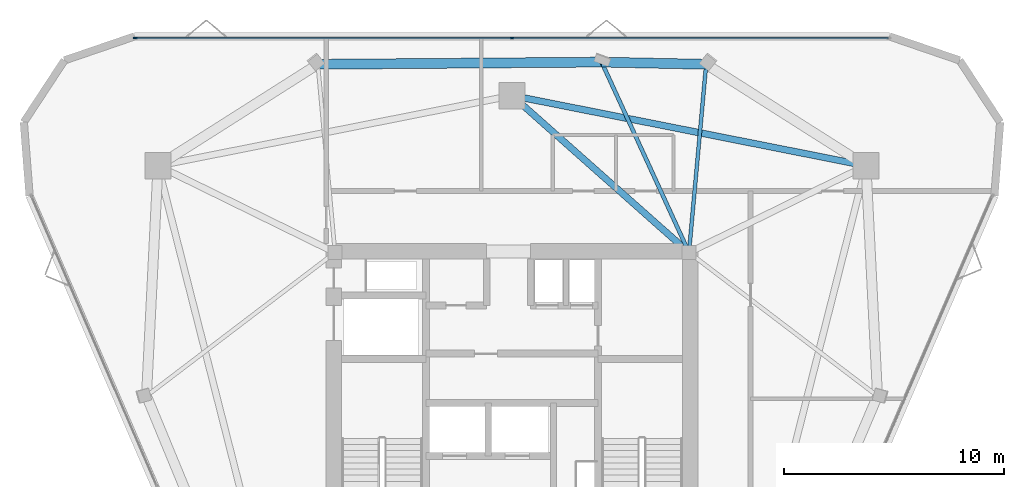
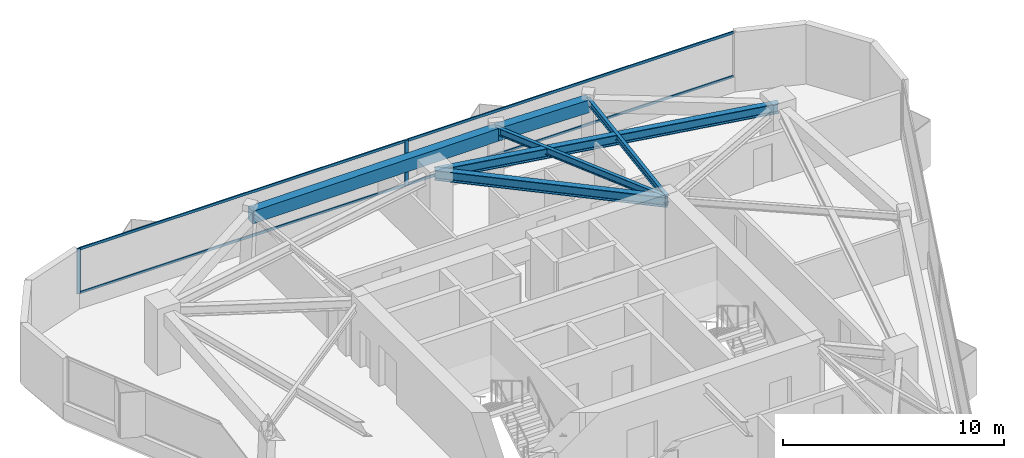
# One storey, part 6 of 11: 6 beams, 6 members, 1 element without a shape of its own.
"""IFC4 building model written with IfcOpenShell, lengths in metres."""

from ifc_helpers import new_model, si_unit, direction, frame, origin, origin_2d, place, context, subcontext, project, spatial, rectangle, i_section, extrude, material, layer, layer_set, material_profile, profile_set, type_object, element, aggregate, save


model = new_model("IFC4")

# Units and contexts
model_context = context("Model", 3, precision=1e-05, world=origin(), true_north=direction((0.0, 1.0)))
body_context = subcontext(model_context, "Body", "Model", "MODEL_VIEW")
ifc_project = project(units=[si_unit("LENGTHUNIT", "METRE"), si_unit("AREAUNIT", "SQUARE_METRE"), si_unit("VOLUMEUNIT", "CUBIC_METRE"), si_unit("PLANEANGLEUNIT", "RADIAN"), si_unit("MASSUNIT", "GRAM", prefix="KILO")], contexts=[model_context])

# Site, building, storey
site_placement = place(None, origin())
site = spatial("IfcSite", under=ifc_project, at=site_placement, CompositionType="ELEMENT")
building_placement = place(site_placement, origin())
building = spatial("IfcBuilding", under=site, at=building_placement, Name="Talyreon Biosciences Tower", CompositionType="ELEMENT")
storey_placement = place(building_placement, frame((0.0, 0.0, 271.75)))
storey = spatial("IfcBuildingStorey", under=building, at=storey_placement, Name="L72", CompositionType="ELEMENT", Elevation=271.75)

# Curtain wall, members
ifc_material_1 = material(Name="Thermally broken aluminium and low-E glazing", Category="aluminium")
ifc_layer = layer(ifc_material_1, 0.175048828125)
ifc_layer_set = layer_set([ifc_layer], Name="Thermally broken aluminium and low-E glazing")
curtain_wall_type = type_object("IfcCurtainWallType", Name="CurtainWall_Zone5CompLab", PredefinedType="NOTDEFINED", material=ifc_layer_set)
curtain_wall_placement = place(storey_placement, origin())
curtain_wall = element("IfcCurtainWall", 1, at=curtain_wall_placement, inside=storey, type_object=curtain_wall_type, Name="L72 Unitised Curtain Wall FCW-L72-04", PredefinedType="NOTDEFINED")
ifc_material_2 = material(Name="Anodised thermally broken aluminium", Category="aluminium")
ifc_material_profile_1 = material_profile(ifc_material_2, rectangle(XDim=0.06494140625, YDim=0.179931640625, at=origin_2d()), Name="ALUM MULLION 65x180")
ifc_profile_set_1 = profile_set([ifc_material_profile_1], Name="Anodised thermally broken aluminium")
member_type_1 = type_object("IfcMemberType", Name="CWMullion_65x180", PredefinedType="MULLION", material=ifc_profile_set_1)
member_1_placement = place(storey_placement, frame((48.859375, 84.404052734375, 0.81005859375), z_axis=(0.0, 0.0, 1.0), x_axis=(0.0, 1.0, 0.0)))
member_1 = element("IfcMember", 2, at=member_1_placement, type_object=member_type_1, Name="CW6 mullion 1", PredefinedType="MULLION", context=body_context, shape_type="SweptSolid", body=[
    extrude(rectangle(XDim=0.06494140625, YDim=0.179931640625, at=origin_2d()), origin(), (0.0, 0.0, 1.0), 2.489990234375),
])
member_2_placement = place(storey_placement, frame((66.0, 84.404052734375, 0.81005859375), z_axis=(0.0, 0.0, 1.0), x_axis=(0.0, 1.0, 0.0)))
member_2 = element("IfcMember", 3, at=member_2_placement, type_object=member_type_1, Name="CW6 mullion 2", PredefinedType="MULLION", context=body_context, shape_type="SweptSolid", body=[
    extrude(rectangle(XDim=0.06494140625, YDim=0.179931640625, at=origin_2d()), origin(), (0.0, 0.0, 1.0), 2.489990234375),
])
ifc_material_profile_2 = material_profile(ifc_material_2, rectangle(XDim=0.06494140625, YDim=0.139892578125, at=origin_2d()), Name="ALUM TRANSOM 65x140")
ifc_profile_set_2 = profile_set([ifc_material_profile_2], Name="Anodised thermally broken aluminium")
member_type_2 = type_object("IfcMemberType", Name="CWTransom_65x140", PredefinedType="USERDEFINED", material=ifc_profile_set_2)
member_3_placement = place(storey_placement, frame((48.891845703125, 84.404052734375, 0.842529296875), z_axis=(1.0, 0.0, 0.0), x_axis=(0.0, 1.0, 0.0)))
member_3 = element("IfcMember", 4, at=member_3_placement, type_object=member_type_2, Name="CW6 transom 1.1", ObjectType="TRANSOM", PredefinedType="USERDEFINED", context=body_context, shape_type="SweptSolid", body=[
    extrude(rectangle(XDim=0.06494140625, YDim=0.139892578125, at=origin_2d()), origin(), (0.0, 0.0, 1.0), 17.07568359375),
])
member_4_placement = place(storey_placement, frame((48.891845703125, 84.404052734375, 3.267578125), z_axis=(1.0, 0.0, 0.0), x_axis=(0.0, 1.0, 0.0)))
member_4 = element("IfcMember", 5, at=member_4_placement, type_object=member_type_2, Name="CW6 transom 1.2", ObjectType="TRANSOM", PredefinedType="USERDEFINED", context=body_context, shape_type="SweptSolid", body=[
    extrude(rectangle(XDim=0.06494140625, YDim=0.139892578125, at=origin_2d()), origin(), (0.0, 0.0, 1.0), 17.07568359375),
])
member_5_placement = place(storey_placement, frame((66.032470703125, 84.404052734375, 0.842529296875), z_axis=(1.0, 0.0, 0.0), x_axis=(0.0, 1.0, 0.0)))
member_5 = element("IfcMember", 6, at=member_5_placement, type_object=member_type_2, Name="CW6 transom 2.1", ObjectType="TRANSOM", PredefinedType="USERDEFINED", context=body_context, shape_type="SweptSolid", body=[
    extrude(rectangle(XDim=0.06494140625, YDim=0.139892578125, at=origin_2d()), origin(), (0.0, 0.0, 1.0), 17.07568359375),
])
member_6_placement = place(storey_placement, frame((66.032470703125, 84.404052734375, 3.267578125), z_axis=(1.0, 0.0, 0.0), x_axis=(0.0, 1.0, 0.0)))
member_6 = element("IfcMember", 7, at=member_6_placement, type_object=member_type_2, Name="CW6 transom 2.2", ObjectType="TRANSOM", PredefinedType="USERDEFINED", context=body_context, shape_type="SweptSolid", body=[
    extrude(rectangle(XDim=0.06494140625, YDim=0.139892578125, at=origin_2d()), origin(), (0.0, 0.0, 1.0), 17.07568359375),
])
aggregate(curtain_wall, [member_1, member_2, member_3, member_4, member_5, member_6])

# Beams
ifc_material_3 = material(Name="Precast concrete C45/55", Category="concrete")
ifc_material_profile_3 = material_profile(ifc_material_3, rectangle(XDim=0.449951171875, YDim=0.699951171875, at=origin_2d()), Name="RCB 450x700")
ifc_profile_set_3 = profile_set([ifc_material_profile_3], Name="Precast concrete C45/55")
beam_type_1 = type_object("IfcBeamType", Name="ExpressedSpandrel_450x700", PredefinedType="SPANDREL", material=ifc_profile_set_3)
beam_1_placement = place(storey_placement, frame((74.83203125, 83.2119140625, 2.949951171875), z_axis=(-0.999779636464, 0.02099234413, 0.0), x_axis=(-0.02099234413, -0.999779636464, 0.0)))
element("IfcBeam", 8, at=beam_1_placement, inside=storey, type_object=beam_type_1, Name="L72 Expressed Horizontal Concrete Spandrel 06", PredefinedType="SPANDREL", context=body_context, shape_type="SweptSolid", body=[
    extrude(rectangle(XDim=0.449951171875, YDim=0.699951171875, at=origin_2d()), origin(), (0.0, 0.0, 1.0), 4.756591796875),
])
beam_2_placement = place(storey_placement, frame((70.076416015625, 83.311767578125, 2.949951171875), z_axis=(-0.99997008223, -0.007735285753, 0.0), x_axis=(0.007735285753, -0.99997008223, 0.0)))
element("IfcBeam", 9, at=beam_2_placement, inside=storey, type_object=beam_type_1, Name="L72 Expressed Horizontal Concrete Spandrel 07", PredefinedType="SPANDREL", context=body_context, shape_type="SweptSolid", body=[
    extrude(rectangle(XDim=0.449951171875, YDim=0.699951171875, at=origin_2d()), origin(), (0.0, 0.0, 1.0), 12.908935546875),
])
ifc_material_4 = material(Name="Steel SM355", Category="steel")
ifc_material_profile_4 = material_profile(ifc_material_4, i_section(OverallWidth=0.300048828125, OverallDepth=0.550048828125, WebThickness=0.014892578125, FlangeThickness=0.029052734375, FilletRadius=0.027099609375, at=origin_2d()), Name="HE550B")
ifc_profile_set_4 = profile_set([ifc_material_profile_4], Name="Steel SM355")
beam_type_2 = type_object("IfcBeamType", Name="SteelBeam_HE550B", PredefinedType="BEAM", material=ifc_profile_set_4)
beam_3_placement = place(storey_placement, frame((82.102294921875, 78.5986328125, 3.02490234375), z_axis=(-0.980933730698, 0.194342522311, 0.0), x_axis=(-0.194342522311, -0.980933730698, 0.0)))
element("IfcBeam", 10, at=beam_3_placement, inside=storey, type_object=beam_type_2, Name="L72 Mega-Ring Girder 3", PredefinedType="BEAM", context=body_context, shape_type="SweptSolid", body=[
    extrude(i_section(OverallWidth=0.300048828125, OverallDepth=0.550048828125, WebThickness=0.014892578125, FlangeThickness=0.029052734375, FilletRadius=0.027099609375, at=origin_2d()), origin(), (0.0, 0.0, 1.0), 16.415283203125),
])
beam_4_placement = place(storey_placement, frame((74.050048828125, 74.64990234375, 3.02490234375), z_axis=(-0.748178733955, 0.663497235908, 0.0), x_axis=(-0.663497235908, -0.748178733955, 0.0)))
element("IfcBeam", 11, at=beam_4_placement, inside=storey, type_object=beam_type_2, Name="L72 Radial Primary Girder 4", PredefinedType="BEAM", context=body_context, shape_type="SweptSolid", body=[
    extrude(i_section(OverallWidth=0.300048828125, OverallDepth=0.550048828125, WebThickness=0.014892578125, FlangeThickness=0.029052734375, FilletRadius=0.027099609375, at=origin_2d()), origin(), (0.0, 0.0, 1.0), 10.759521484375),
])
ifc_material_profile_5 = material_profile(ifc_material_4, i_section(OverallWidth=0.169921875, OverallDepth=0.360107421875, WebThickness=0.008056640625, FlangeThickness=0.0126953125, FilletRadius=0.01806640625, at=origin_2d()), Name="IPE360")
ifc_profile_set_5 = profile_set([ifc_material_profile_5], Name="Steel SM355")
beam_type_3 = type_object("IfcBeamType", Name="SteelJoist_IPE360", PredefinedType="JOIST", material=ifc_profile_set_5)
beam_5_placement = place(storey_placement, frame((74.050048828125, 74.64990234375, 3.1201171875), z_axis=(0.090953069318, 0.995855179824, 0.0), x_axis=(-0.995855179824, 0.090953069318, 0.0)))
element("IfcBeam", 12, at=beam_5_placement, inside=storey, type_object=beam_type_3, Name="L72 Radial Composite Floor Joist PC-N1", PredefinedType="JOIST", context=body_context, shape_type="SweptSolid", body=[
    extrude(i_section(OverallWidth=0.169921875, OverallDepth=0.360107421875, WebThickness=0.008056640625, FlangeThickness=0.0126953125, FilletRadius=0.01806640625, at=origin_2d()), origin(), (0.0, 0.0, 1.0), 8.59765625),
])
ifc_material_profile_6 = material_profile(ifc_material_4, i_section(OverallWidth=0.179931640625, OverallDepth=0.39990234375, WebThickness=0.008544921875, FlangeThickness=0.013427734375, FilletRadius=0.02099609375, at=origin_2d()), Name="IPE400")
ifc_profile_set_6 = profile_set([ifc_material_profile_6], Name="Steel SM355")
beam_type_4 = type_object("IfcBeamType", Name="SteelJoist_IPE400", PredefinedType="JOIST", material=ifc_profile_set_6)
beam_6_placement = place(storey_placement, frame((74.050048828125, 74.64990234375, 3.10009765625), z_axis=(-0.416967842464, 0.908921238805, 0.0), x_axis=(-0.908921238805, -0.416967842464, 0.0)))
element("IfcBeam", 13, at=beam_6_placement, inside=storey, type_object=beam_type_4, Name="L72 Radial Composite Floor Joist PL-N", PredefinedType="JOIST", context=body_context, shape_type="SweptSolid", body=[
    extrude(i_section(OverallWidth=0.179931640625, OverallDepth=0.39990234375, WebThickness=0.008544921875, FlangeThickness=0.013427734375, FilletRadius=0.02099609375, at=origin_2d()), origin(), (0.0, 0.0, 1.0), 9.52978515625),
])

save(model, "model.ifc")
